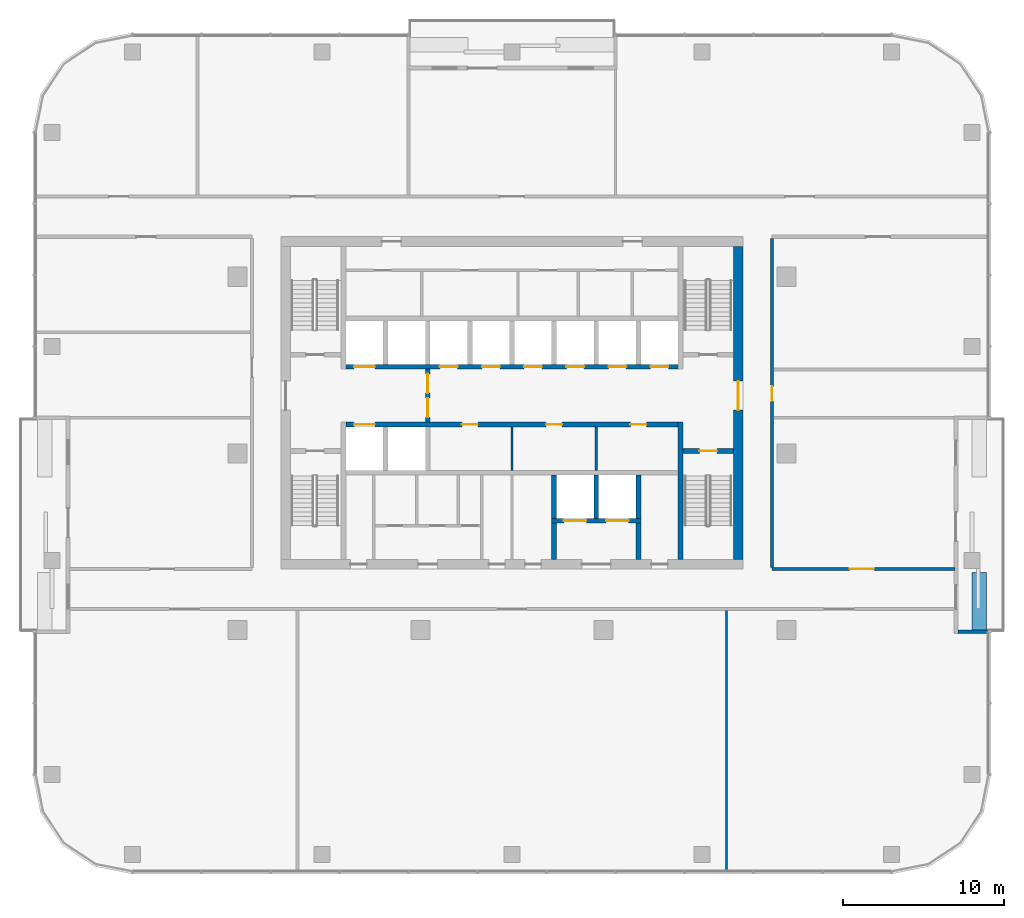
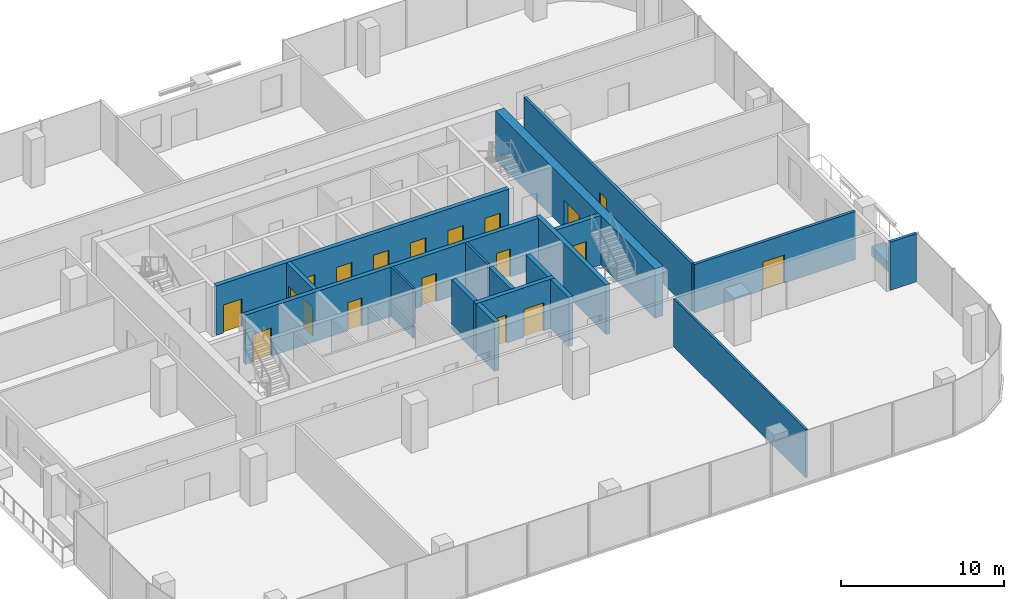
# One storey, part 8 of 13: 19 doors, 19 walls, 19 openings.
"""IFC4 building model written with IfcOpenShell, lengths in metres."""

from ifc_helpers import new_model, si_unit, direction, frame, frame_2d, origin, place, context, subcontext, project, spatial, rectangle, extrude, material, layer, layer_set, type_object, element, fill, save


model = new_model("IFC4")

# Units and contexts
model_context = context("Model", 3, precision=1e-05, world=origin(), true_north=direction((0.0, 1.0)))
body_context = subcontext(model_context, "Body", "Model", "MODEL_VIEW")
ifc_project = project(units=[si_unit("LENGTHUNIT", "METRE"), si_unit("AREAUNIT", "SQUARE_METRE"), si_unit("VOLUMEUNIT", "CUBIC_METRE"), si_unit("PLANEANGLEUNIT", "RADIAN"), si_unit("MASSUNIT", "GRAM", prefix="KILO")], contexts=[model_context])

# Site, building, storey
site_placement = place(None, origin())
site = spatial("IfcSite", under=ifc_project, at=site_placement, CompositionType="ELEMENT")
building_placement = place(site_placement, origin())
building = spatial("IfcBuilding", under=site, at=building_placement, Name="Mopane Tessera Tower", CompositionType="ELEMENT")
storey_placement = place(building_placement, frame((0.0, 0.0, 271.39990234375)))
storey = spatial("IfcBuildingStorey", under=building, at=storey_placement, Name="L58", CompositionType="ELEMENT", Elevation=271.39990234375)

# Walls
ifc_material_1 = material(Name="Fire-rated gypsum board partition")
ifc_layer_1 = layer(ifc_material_1, 0.14990234375)
ifc_layer_set_1 = layer_set([ifc_layer_1], Name="Fire-rated gypsum board partition")
wall_type_1 = type_object("IfcWallType", Name="Core room partition 150 mm", PredefinedType="PARTITIONING", material=ifc_layer_set_1)
for number, where, z_axis, x_axis, name in (
    (1, (0.0, -1.050048828125, 0.0), (0.0, 0.0, 1.0), (0.0, 1.0, 0.0), "L58 Room partition"),
    (2, (5.25, -1.050048828125, 0.0), (0.0, 0.0, 1.0), (0.0, 1.0, 0.0), "L58 Room partition"),
):
    element("IfcWall", number, at=place(storey_placement, frame(where, z_axis=z_axis, x_axis=x_axis)), inside=storey, type_object=wall_type_1, Name=name, PredefinedType="PARTITIONING", context=body_context, shape_type="SweptSolid", body=[
        extrude(rectangle(XDim=2.699951171875, YDim=0.14990234375, at=frame_2d((1.35009765625, 0.0))), origin(), (0.0, 0.0, 1.0), 3.7001953125),
    ])

# Wall, opening, door
ifc_material_2 = material(Name="Concrete C70/85", Category="concrete")
ifc_layer_2 = layer(ifc_material_2, 0.60009765625)
ifc_layer_set_2 = layer_set([ifc_layer_2], Name="Concrete C70/85")
wall_type_2 = type_object("IfcWallType", Name="Core shear wall 600 mm", PredefinedType="SHEAR", material=ifc_layer_set_2)
wall_1_placement = place(storey_placement, frame((14.10009765625, -6.60009765625, 0.0), z_axis=(0.0, 0.0, 1.0), x_axis=(0.0, 1.0, 0.0)))
wall_1 = element("IfcWall", 3, at=wall_1_placement, inside=storey, type_object=wall_type_2, Name="L58 Core wall east", PredefinedType="SHEAR", context=body_context, shape_type="SweptSolid", body=[
    extrude(rectangle(XDim=19.5, YDim=0.60009765625, at=frame_2d((9.75, 0.0))), origin(), (0.0, 0.0, 1.0), 3.7001953125),
])
opening_1_placement = place(wall_1_placement, frame((9.300048828125, 0.0, 0.0)))
opening_1 = element("IfcOpeningElement", 4, at=opening_1_placement, cuts=wall_1, Name="Opening SD2", PredefinedType="OPENING", context=body_context, shape_type="SweptSolid", body=[
    extrude(rectangle(XDim=1.800048828125, YDim=2.10009765625, at=frame_2d((0.89990234375, 1.050048828125))), frame((0.0, 0.31201171875, 0.0), z_axis=(0.0, -1.0, 0.0), x_axis=(1.0, 0.0, 0.0)), (0.0, 0.0, 1.0), 0.6240234375),
])
ifc_material_3 = material(Name="Steel fire door", Category="steel")
door_type_1 = type_object("IfcDoorType", Name="Core entrance double door 1800 x 2100", OperationType="DOUBLE_DOOR_SINGLE_SWING", PredefinedType="DOOR", material=ifc_material_3)
door_1_placement = place(opening_1_placement, origin())
door_1 = element("IfcDoor", 5, at=door_1_placement, inside=storey, type_object=door_type_1, Name="L58 Core entrance door east", OperationType="DOUBLE_DOOR_SINGLE_SWING", OverallHeight=2.10009765625, OverallWidth=1.800048828125, PredefinedType="DOOR", context=body_context, shape_type="SweptSolid", body=[
    extrude(rectangle(XDim=1.800048828125, YDim=2.10009765625, at=frame_2d((0.89990234375, 1.050048828125))), frame((0.0, 0.02490234375, 0.0), z_axis=(0.0, -1.0, 0.0), x_axis=(1.0, 0.0, 0.0)), (0.0, 0.0, 1.0), 0.050048828125),
])
fill(opening_1, door_1)

# Wall
ifc_material_4 = material(Name="Concrete C60/75", Category="concrete")
ifc_layer_3 = layer(ifc_material_4, 0.300048828125)
ifc_layer_set_3 = layer_set([ifc_layer_3], Name="Concrete C60/75")
wall_type_3 = type_object("IfcWallType", Name="Core spine wall 300 mm", PredefinedType="SHEAR", material=ifc_layer_set_3)
wall_2_placement = place(storey_placement, frame((10.5, -6.60009765625, 0.0), z_axis=(0.0, 0.0, 1.0), x_axis=(0.0, 1.0, 0.0)))
element("IfcWall", 6, at=wall_2_placement, inside=storey, type_object=wall_type_3, Name="L58 Core spine wall", PredefinedType="SHEAR", context=body_context, shape_type="SweptSolid", body=[
    extrude(rectangle(XDim=8.550048828125, YDim=0.300048828125, at=frame_2d((4.27490234375, 0.0))), origin(), (0.0, 0.0, 1.0), 3.7001953125),
])

# Wall, opening, door
ifc_material_5 = material(Name="Gypsum board on steel studs, two layers each face, mineral wool infill", Category="steel")
ifc_layer_4 = layer(ifc_material_5, 0.199951171875)
ifc_layer_set_4 = layer_set([ifc_layer_4], Name="Gypsum board on steel studs, two layers each face, mineral wool infill")
wall_type_4 = type_object("IfcWallType", Name="Gypsum board corridor wall 200, rated EI 60", PredefinedType="PARTITIONING", material=ifc_layer_set_4)
wall_3_placement = place(storey_placement, frame((16.199951171875, -7.199951171875, 0.0), z_axis=(0.0, 0.0, 1.0), x_axis=(1.0, 0.0, 0.0)))
wall_3 = element("IfcWall", 7, at=wall_3_placement, inside=storey, type_object=wall_type_4, Name="Partition L58:002", PredefinedType="PARTITIONING", context=body_context, shape_type="SweptSolid", body=[
    extrude(rectangle(XDim=11.400146484375, YDim=0.199951171875, at=frame_2d((5.7001953125, 0.0))), origin(), (0.0, 0.0, 1.0), 3.60009765625),
])
opening_2_placement = place(wall_3_placement, frame((4.85009765625, 0.0, 0.0)))
opening_2 = element("IfcOpeningElement", 8, at=opening_2_placement, cuts=wall_3, Name="Opening L58-05", PredefinedType="OPENING", context=body_context, shape_type="SweptSolid", body=[
    extrude(rectangle(XDim=1.5, YDim=2.10009765625, at=frame_2d((0.75, 1.050048828125))), frame((0.0, 0.112060546875, 0.0), z_axis=(0.0, -1.0, 0.0), x_axis=(1.0, 0.0, 0.0)), (0.0, 0.0, 1.0), 0.223876953125),
])
ifc_material_6 = material(Name="Timber veneered steel-framed fire door", Category="steel")
door_type_2 = type_object("IfcDoorType", Name="Fire door pair FD60 1500 x 2100", OperationType="DOUBLE_DOOR_SINGLE_SWING", PredefinedType="DOOR", material=ifc_material_6)
door_2_placement = place(opening_2_placement, origin())
door_2 = element("IfcDoor", 9, at=door_2_placement, inside=storey, type_object=door_type_2, Name="Door L58-05", ObjectType="D17A", OperationType="DOUBLE_DOOR_SINGLE_SWING", OverallHeight=2.10009765625, OverallWidth=1.5, PredefinedType="DOOR", context=body_context, shape_type="SweptSolid", body=[
    extrude(rectangle(XDim=1.5, YDim=2.10009765625, at=frame_2d((0.75, 1.050048828125))), frame((0.0, 0.02490234375, 0.0), z_axis=(0.0, -1.0, 0.0), x_axis=(1.0, 0.0, 0.0)), (0.0, 0.0, 1.0), 0.050048828125),
])
fill(opening_2, door_2)

wall_4_placement = place(storey_placement, frame((16.199951171875, -7.10009765625, 0.0), z_axis=(0.0, 0.0, 1.0), x_axis=(0.0, 1.0, 0.0)))
wall_4 = element("IfcWall", 10, at=wall_4_placement, inside=storey, type_object=wall_type_4, Name="Partition L58:016", PredefinedType="PARTITIONING", context=body_context, shape_type="SweptSolid", body=[
    extrude(rectangle(XDim=20.5, YDim=0.199951171875, at=frame_2d((10.25, 0.0))), origin(), (0.0, 0.0, 1.0), 3.60009765625),
])
opening_3_placement = place(wall_4_placement, frame((10.3701171875, 0.0, 0.0)))
opening_3 = element("IfcOpeningElement", 11, at=opening_3_placement, cuts=wall_4, Name="Opening L58-13", PredefinedType="OPENING", context=body_context, shape_type="SweptSolid", body=[
    extrude(rectangle(XDim=0.89990234375, YDim=2.10009765625, at=frame_2d((0.449951171875, 1.050048828125))), frame((0.0, 0.112060546875, 0.0), z_axis=(0.0, -1.0, 0.0), x_axis=(1.0, 0.0, 0.0)), (0.0, 0.0, 1.0), 0.223876953125),
])
ifc_material_7 = material(Name="Timber veneered steel-framed fire door", Category="steel")
door_type_3 = type_object("IfcDoorType", Name="Fire door FD60 900 x 2100", OperationType="SINGLE_SWING_LEFT", PredefinedType="DOOR", material=ifc_material_7)
door_3_placement = place(opening_3_placement, origin())
door_3 = element("IfcDoor", 12, at=door_3_placement, inside=storey, type_object=door_type_3, Name="Door L58-13", ObjectType="D10A", OperationType="SINGLE_SWING_LEFT", OverallHeight=2.10009765625, OverallWidth=0.89990234375, PredefinedType="DOOR", context=body_context, shape_type="SweptSolid", body=[
    extrude(rectangle(XDim=0.89990234375, YDim=2.10009765625, at=frame_2d((0.449951171875, 1.050048828125))), frame((0.0, 0.02490234375, 0.0), z_axis=(0.0, -1.0, 0.0), x_axis=(1.0, 0.0, 0.0)), (0.0, 0.0, 1.0), 0.050048828125),
])
fill(opening_3, door_3)

# Wall
ifc_material_8 = material(Name="Gypsum board on steel studs, mineral wool infill", Category="steel")
ifc_layer_5 = layer(ifc_material_8, 0.14990234375)
ifc_layer_set_5 = layer_set([ifc_layer_5], Name="Gypsum board on steel studs, mineral wool infill")
wall_type_5 = type_object("IfcWallType", Name="Gypsum board partition 150, rated EI 60", PredefinedType="PARTITIONING", material=ifc_layer_set_5)
wall_5_placement = place(storey_placement, frame((13.364990234375, -25.949951171875, 0.0), z_axis=(0.0, 0.0, 1.0), x_axis=(0.0, 1.0, 0.0)))
element("IfcWall", 13, at=wall_5_placement, inside=storey, type_object=wall_type_5, Name="Partition L58:015", PredefinedType="PARTITIONING", context=body_context, shape_type="SweptSolid", body=[
    extrude(rectangle(XDim=16.14990234375, YDim=0.14990234375, at=frame_2d((8.074951171875, 0.0))), origin(), (0.0, 0.0, 1.0), 3.60009765625),
])

# Wall, opening, door
ifc_material_9 = material(Name="Concrete C50/60", Category="concrete")
ifc_layer_6 = layer(ifc_material_9, 0.300048828125)
ifc_layer_set_6 = layer_set([ifc_layer_6], Name="Concrete C50/60")
wall_type_6 = type_object("IfcWallType", Name="Lift and stair shaft wall 300 mm", PredefinedType="SOLIDWALL", material=ifc_layer_set_6)
wall_6_placement = place(storey_placement, frame((10.64990234375, 0.14990234375, 0.0), z_axis=(0.0, 0.0, 1.0), x_axis=(1.0, 0.0, 0.0)))
wall_6 = element("IfcWall", 14, at=wall_6_placement, inside=storey, type_object=wall_type_6, Name="L58 Stair enclosure wall", PredefinedType="SOLIDWALL", context=body_context, shape_type="SweptSolid", body=[
    extrude(rectangle(XDim=3.150146484375, YDim=0.300048828125, at=frame_2d((1.5751953125, 0.0))), origin(), (0.0, 0.0, 1.0), 3.7001953125),
])
opening_4_placement = place(wall_6_placement, frame((1.02490234375, 0.0, 0.0)))
opening_4 = element("IfcOpeningElement", 15, at=opening_4_placement, cuts=wall_6, Name="Opening SD1", PredefinedType="OPENING", context=body_context, shape_type="SweptSolid", body=[
    extrude(rectangle(XDim=1.10009765625, YDim=2.10009765625, at=frame_2d((0.550048828125, 1.050048828125))), frame((0.0, 0.162109375, 0.0), z_axis=(0.0, -1.0, 0.0), x_axis=(1.0, 0.0, 0.0)), (0.0, 0.0, 1.0), 0.323974609375),
])
ifc_material_10 = material(Name="Steel fire door", Category="steel")
door_type_4 = type_object("IfcDoorType", Name="Stair fire door 1100 x 2100", OperationType="SINGLE_SWING_LEFT", PredefinedType="DOOR", material=ifc_material_10)
door_4_placement = place(opening_4_placement, origin())
door_4 = element("IfcDoor", 16, at=door_4_placement, inside=storey, type_object=door_type_4, Name="L58 Stair door ST3", OperationType="SINGLE_SWING_RIGHT", OverallHeight=2.10009765625, OverallWidth=1.10009765625, PredefinedType="DOOR", context=body_context, shape_type="SweptSolid", body=[
    extrude(rectangle(XDim=1.10009765625, YDim=2.10009765625, at=frame_2d((0.550048828125, 1.050048828125))), frame((0.0, 0.02490234375, 0.0), z_axis=(0.0, -1.0, 0.0), x_axis=(1.0, 0.0, 0.0)), (0.0, 0.0, 1.0), 0.050048828125),
])
fill(opening_4, door_4)

# Wall, openings, doors
wall_7_placement = place(storey_placement, frame((-10.35009765625, 1.800048828125, 0.0), z_axis=(0.0, 0.0, 1.0), x_axis=(1.0, 0.0, 0.0)))
wall_7 = element("IfcWall", 17, at=wall_7_placement, inside=storey, type_object=wall_type_6, Name="L58 Lift shaft front wall", PredefinedType="SOLIDWALL", context=body_context, shape_type="SweptSolid", body=[
    extrude(rectangle(XDim=20.7001953125, YDim=0.300048828125, at=frame_2d((10.35009765625, 0.0))), origin(), (0.0, 0.0, 1.0), 3.7001953125),
])
opening_5_placement = place(wall_7_placement, frame((0.512451171875, 0.0, 0.0)))
opening_5 = element("IfcOpeningElement", 18, at=opening_5_placement, cuts=wall_7, Name="Opening LD2", PredefinedType="OPENING", context=body_context, shape_type="SweptSolid", body=[
    extrude(rectangle(XDim=1.300048828125, YDim=2.10009765625, at=frame_2d((0.64990234375, 1.050048828125))), frame((0.0, 0.162109375, 0.0), z_axis=(0.0, -1.0, 0.0), x_axis=(1.0, 0.0, 0.0)), (0.0, 0.0, 1.0), 0.323974609375),
])
opening_6_placement = place(wall_7_placement, frame((7.22509765625, 0.0, 0.0)))
opening_6 = element("IfcOpeningElement", 19, at=opening_6_placement, cuts=wall_7, Name="Opening RD1", PredefinedType="OPENING", context=body_context, shape_type="SweptSolid", body=[
    extrude(rectangle(XDim=1.0, YDim=2.10009765625, at=frame_2d((0.5, 1.050048828125))), frame((0.0, 0.162109375, 0.0), z_axis=(0.0, -1.0, 0.0), x_axis=(1.0, 0.0, 0.0)), (0.0, 0.0, 1.0), 0.323974609375),
])
opening_7_placement = place(wall_7_placement, frame((12.47509765625, 0.0, 0.0)))
opening_7 = element("IfcOpeningElement", 20, at=opening_7_placement, cuts=wall_7, Name="Opening RD1", PredefinedType="OPENING", context=body_context, shape_type="SweptSolid", body=[
    extrude(rectangle(XDim=1.0, YDim=2.10009765625, at=frame_2d((0.5, 1.050048828125))), frame((0.0, 0.162109375, 0.0), z_axis=(0.0, -1.0, 0.0), x_axis=(1.0, 0.0, 0.0)), (0.0, 0.0, 1.0), 0.323974609375),
])
opening_8_placement = place(wall_7_placement, frame((17.72509765625, 0.0, 0.0)))
opening_8 = element("IfcOpeningElement", 21, at=opening_8_placement, cuts=wall_7, Name="Opening RD1", PredefinedType="OPENING", context=body_context, shape_type="SweptSolid", body=[
    extrude(rectangle(XDim=1.0, YDim=2.10009765625, at=frame_2d((0.5, 1.050048828125))), frame((0.0, 0.162109375, 0.0), z_axis=(0.0, -1.0, 0.0), x_axis=(1.0, 0.0, 0.0)), (0.0, 0.0, 1.0), 0.323974609375),
])
ifc_material_11 = material(Name="Timber door", Category="wood")
door_type_5 = type_object("IfcDoorType", Name="Core room door 1000 x 2100", OperationType="SINGLE_SWING_LEFT", PredefinedType="DOOR", material=ifc_material_11)
door_5_placement = place(opening_6_placement, origin())
door_5 = element("IfcDoor", 22, at=door_5_placement, inside=storey, type_object=door_type_5, Name="L58 Room door", OperationType="SINGLE_SWING_LEFT", OverallHeight=2.10009765625, OverallWidth=1.0, PredefinedType="DOOR", context=body_context, shape_type="SweptSolid", body=[
    extrude(rectangle(XDim=1.0, YDim=2.10009765625, at=frame_2d((0.5, 1.050048828125))), frame((0.0, 0.02490234375, 0.0), z_axis=(0.0, -1.0, 0.0), x_axis=(1.0, 0.0, 0.0)), (0.0, 0.0, 1.0), 0.050048828125),
])
fill(opening_6, door_5)
door_6_placement = place(opening_7_placement, origin())
door_6 = element("IfcDoor", 23, at=door_6_placement, inside=storey, type_object=door_type_5, Name="L58 Room door", OperationType="SINGLE_SWING_LEFT", OverallHeight=2.10009765625, OverallWidth=1.0, PredefinedType="DOOR", context=body_context, shape_type="SweptSolid", body=[
    extrude(rectangle(XDim=1.0, YDim=2.10009765625, at=frame_2d((0.5, 1.050048828125))), frame((0.0, 0.02490234375, 0.0), z_axis=(0.0, -1.0, 0.0), x_axis=(1.0, 0.0, 0.0)), (0.0, 0.0, 1.0), 0.050048828125),
])
fill(opening_7, door_6)
door_7_placement = place(opening_8_placement, origin())
door_7 = element("IfcDoor", 24, at=door_7_placement, inside=storey, type_object=door_type_5, Name="L58 Room door", OperationType="SINGLE_SWING_LEFT", OverallHeight=2.10009765625, OverallWidth=1.0, PredefinedType="DOOR", context=body_context, shape_type="SweptSolid", body=[
    extrude(rectangle(XDim=1.0, YDim=2.10009765625, at=frame_2d((0.5, 1.050048828125))), frame((0.0, 0.02490234375, 0.0), z_axis=(0.0, -1.0, 0.0), x_axis=(1.0, 0.0, 0.0)), (0.0, 0.0, 1.0), 0.050048828125),
])
fill(opening_8, door_7)
ifc_material_12 = material(Name="Stainless steel sliding door", Category="steel")
door_type_6 = type_object("IfcDoorType", Name="Fire-fighting lift landing door 1300 x 2100", OperationType="DOUBLE_DOOR_SLIDING", PredefinedType="DOOR", material=ifc_material_12)
door_8_placement = place(opening_5_placement, origin())
door_8 = element("IfcDoor", 25, at=door_8_placement, inside=storey, type_object=door_type_6, Name="L58 Lift landing door FF1", OperationType="DOUBLE_DOOR_SLIDING", OverallHeight=2.10009765625, OverallWidth=1.300048828125, PredefinedType="DOOR", context=body_context, shape_type="SweptSolid", body=[
    extrude(rectangle(XDim=1.300048828125, YDim=2.10009765625, at=frame_2d((0.64990234375, 1.050048828125))), frame((0.0, 0.02490234375, 0.0), z_axis=(0.0, -1.0, 0.0), x_axis=(1.0, 0.0, 0.0)), (0.0, 0.0, 1.0), 0.050048828125),
])
fill(opening_5, door_8)

wall_8_placement = place(storey_placement, frame((-10.35009765625, 5.39990234375, 0.0), z_axis=(0.0, 0.0, 1.0), x_axis=(1.0, 0.0, 0.0)))
wall_8 = element("IfcWall", 26, at=wall_8_placement, inside=storey, type_object=wall_type_6, Name="L58 Lift shaft front wall", PredefinedType="SOLIDWALL", context=body_context, shape_type="SweptSolid", body=[
    extrude(rectangle(XDim=20.7001953125, YDim=0.300048828125, at=frame_2d((10.35009765625, 0.0))), origin(), (0.0, 0.0, 1.0), 3.7001953125),
])
opening_9_placement = place(wall_8_placement, frame((0.512451171875, 0.0, 0.0)))
opening_9 = element("IfcOpeningElement", 27, at=opening_9_placement, cuts=wall_8, Name="Opening LD2", PredefinedType="OPENING", context=body_context, shape_type="SweptSolid", body=[
    extrude(rectangle(XDim=1.300048828125, YDim=2.10009765625, at=frame_2d((0.64990234375, 1.050048828125))), frame((0.0, 0.162109375, 0.0), z_axis=(0.0, -1.0, 0.0), x_axis=(1.0, 0.0, 0.0)), (0.0, 0.0, 1.0), 0.323974609375),
])
opening_10_placement = place(wall_8_placement, frame((5.862548828125, 0.0, 0.0)))
opening_10 = element("IfcOpeningElement", 28, at=opening_10_placement, cuts=wall_8, Name="Opening LD", PredefinedType="OPENING", context=body_context, shape_type="SweptSolid", body=[
    extrude(rectangle(XDim=1.10009765625, YDim=2.10009765625, at=frame_2d((0.550048828125, 1.050048828125))), frame((0.0, 0.162109375, 0.0), z_axis=(0.0, -1.0, 0.0), x_axis=(1.0, 0.0, 0.0)), (0.0, 0.0, 1.0), 0.323974609375),
])
opening_11_placement = place(wall_8_placement, frame((8.487548828125, 0.0, 0.0)))
opening_11 = element("IfcOpeningElement", 29, at=opening_11_placement, cuts=wall_8, Name="Opening LD", PredefinedType="OPENING", context=body_context, shape_type="SweptSolid", body=[
    extrude(rectangle(XDim=1.10009765625, YDim=2.10009765625, at=frame_2d((0.550048828125, 1.050048828125))), frame((0.0, 0.162109375, 0.0), z_axis=(0.0, -1.0, 0.0), x_axis=(1.0, 0.0, 0.0)), (0.0, 0.0, 1.0), 0.323974609375),
])
opening_12_placement = place(wall_8_placement, frame((11.112548828125, 0.0, 0.0)))
opening_12 = element("IfcOpeningElement", 30, at=opening_12_placement, cuts=wall_8, Name="Opening LD", PredefinedType="OPENING", context=body_context, shape_type="SweptSolid", body=[
    extrude(rectangle(XDim=1.10009765625, YDim=2.10009765625, at=frame_2d((0.550048828125, 1.050048828125))), frame((0.0, 0.162109375, 0.0), z_axis=(0.0, -1.0, 0.0), x_axis=(1.0, 0.0, 0.0)), (0.0, 0.0, 1.0), 0.323974609375),
])
opening_13_placement = place(wall_8_placement, frame((13.737548828125, 0.0, 0.0)))
opening_13 = element("IfcOpeningElement", 31, at=opening_13_placement, cuts=wall_8, Name="Opening LD", PredefinedType="OPENING", context=body_context, shape_type="SweptSolid", body=[
    extrude(rectangle(XDim=1.10009765625, YDim=2.10009765625, at=frame_2d((0.550048828125, 1.050048828125))), frame((0.0, 0.162109375, 0.0), z_axis=(0.0, -1.0, 0.0), x_axis=(1.0, 0.0, 0.0)), (0.0, 0.0, 1.0), 0.323974609375),
])
opening_14_placement = place(wall_8_placement, frame((16.362548828125, 0.0, 0.0)))
opening_14 = element("IfcOpeningElement", 32, at=opening_14_placement, cuts=wall_8, Name="Opening LD", PredefinedType="OPENING", context=body_context, shape_type="SweptSolid", body=[
    extrude(rectangle(XDim=1.10009765625, YDim=2.10009765625, at=frame_2d((0.550048828125, 1.050048828125))), frame((0.0, 0.162109375, 0.0), z_axis=(0.0, -1.0, 0.0), x_axis=(1.0, 0.0, 0.0)), (0.0, 0.0, 1.0), 0.323974609375),
])
opening_15_placement = place(wall_8_placement, frame((18.987548828125, 0.0, 0.0)))
opening_15 = element("IfcOpeningElement", 33, at=opening_15_placement, cuts=wall_8, Name="Opening LD", PredefinedType="OPENING", context=body_context, shape_type="SweptSolid", body=[
    extrude(rectangle(XDim=1.10009765625, YDim=2.10009765625, at=frame_2d((0.550048828125, 1.050048828125))), frame((0.0, 0.162109375, 0.0), z_axis=(0.0, -1.0, 0.0), x_axis=(1.0, 0.0, 0.0)), (0.0, 0.0, 1.0), 0.323974609375),
])
door_9_placement = place(opening_9_placement, origin())
door_9 = element("IfcDoor", 34, at=door_9_placement, inside=storey, type_object=door_type_6, Name="L58 Lift landing door FF2", OperationType="DOUBLE_DOOR_SLIDING", OverallHeight=2.10009765625, OverallWidth=1.300048828125, PredefinedType="DOOR", context=body_context, shape_type="SweptSolid", body=[
    extrude(rectangle(XDim=1.300048828125, YDim=2.10009765625, at=frame_2d((0.64990234375, 1.050048828125))), frame((0.0, 0.02490234375, 0.0), z_axis=(0.0, -1.0, 0.0), x_axis=(1.0, 0.0, 0.0)), (0.0, 0.0, 1.0), 0.050048828125),
])
fill(opening_9, door_9)
ifc_material_13 = material(Name="Stainless steel sliding door", Category="steel")
door_type_7 = type_object("IfcDoorType", Name="Lift landing door 1100 x 2100", OperationType="DOUBLE_DOOR_SLIDING", PredefinedType="DOOR", material=ifc_material_13)
door_10_placement = place(opening_10_placement, origin())
door_10 = element("IfcDoor", 35, at=door_10_placement, inside=storey, type_object=door_type_7, Name="L58 Lift landing door HR1", OperationType="DOUBLE_DOOR_SLIDING", OverallHeight=2.10009765625, OverallWidth=1.10009765625, PredefinedType="DOOR", context=body_context, shape_type="SweptSolid", body=[
    extrude(rectangle(XDim=1.10009765625, YDim=2.10009765625, at=frame_2d((0.550048828125, 1.050048828125))), frame((0.0, 0.02490234375, 0.0), z_axis=(0.0, -1.0, 0.0), x_axis=(1.0, 0.0, 0.0)), (0.0, 0.0, 1.0), 0.050048828125),
])
fill(opening_10, door_10)
door_11_placement = place(opening_11_placement, origin())
door_11 = element("IfcDoor", 36, at=door_11_placement, inside=storey, type_object=door_type_7, Name="L58 Lift landing door HR2", OperationType="DOUBLE_DOOR_SLIDING", OverallHeight=2.10009765625, OverallWidth=1.10009765625, PredefinedType="DOOR", context=body_context, shape_type="SweptSolid", body=[
    extrude(rectangle(XDim=1.10009765625, YDim=2.10009765625, at=frame_2d((0.550048828125, 1.050048828125))), frame((0.0, 0.02490234375, 0.0), z_axis=(0.0, -1.0, 0.0), x_axis=(1.0, 0.0, 0.0)), (0.0, 0.0, 1.0), 0.050048828125),
])
fill(opening_11, door_11)
door_12_placement = place(opening_12_placement, origin())
door_12 = element("IfcDoor", 37, at=door_12_placement, inside=storey, type_object=door_type_7, Name="L58 Lift landing door HR3", OperationType="DOUBLE_DOOR_SLIDING", OverallHeight=2.10009765625, OverallWidth=1.10009765625, PredefinedType="DOOR", context=body_context, shape_type="SweptSolid", body=[
    extrude(rectangle(XDim=1.10009765625, YDim=2.10009765625, at=frame_2d((0.550048828125, 1.050048828125))), frame((0.0, 0.02490234375, 0.0), z_axis=(0.0, -1.0, 0.0), x_axis=(1.0, 0.0, 0.0)), (0.0, 0.0, 1.0), 0.050048828125),
])
fill(opening_12, door_12)
door_13_placement = place(opening_13_placement, origin())
door_13 = element("IfcDoor", 38, at=door_13_placement, inside=storey, type_object=door_type_7, Name="L58 Lift landing door HR4", OperationType="DOUBLE_DOOR_SLIDING", OverallHeight=2.10009765625, OverallWidth=1.10009765625, PredefinedType="DOOR", context=body_context, shape_type="SweptSolid", body=[
    extrude(rectangle(XDim=1.10009765625, YDim=2.10009765625, at=frame_2d((0.550048828125, 1.050048828125))), frame((0.0, 0.02490234375, 0.0), z_axis=(0.0, -1.0, 0.0), x_axis=(1.0, 0.0, 0.0)), (0.0, 0.0, 1.0), 0.050048828125),
])
fill(opening_13, door_13)
door_14_placement = place(opening_14_placement, origin())
door_14 = element("IfcDoor", 39, at=door_14_placement, inside=storey, type_object=door_type_7, Name="L58 Lift landing door HR5", OperationType="DOUBLE_DOOR_SLIDING", OverallHeight=2.10009765625, OverallWidth=1.10009765625, PredefinedType="DOOR", context=body_context, shape_type="SweptSolid", body=[
    extrude(rectangle(XDim=1.10009765625, YDim=2.10009765625, at=frame_2d((0.550048828125, 1.050048828125))), frame((0.0, 0.02490234375, 0.0), z_axis=(0.0, -1.0, 0.0), x_axis=(1.0, 0.0, 0.0)), (0.0, 0.0, 1.0), 0.050048828125),
])
fill(opening_14, door_14)
door_15_placement = place(opening_15_placement, origin())
door_15 = element("IfcDoor", 40, at=door_15_placement, inside=storey, type_object=door_type_7, Name="L58 Lift landing door HR6", OperationType="DOUBLE_DOOR_SLIDING", OverallHeight=2.10009765625, OverallWidth=1.10009765625, PredefinedType="DOOR", context=body_context, shape_type="SweptSolid", body=[
    extrude(rectangle(XDim=1.10009765625, YDim=2.10009765625, at=frame_2d((0.550048828125, 1.050048828125))), frame((0.0, 0.02490234375, 0.0), z_axis=(0.0, -1.0, 0.0), x_axis=(1.0, 0.0, 0.0)), (0.0, 0.0, 1.0), 0.050048828125),
])
fill(opening_15, door_15)

wall_9_placement = place(storey_placement, frame((2.47509765625, -4.199951171875, 0.0), z_axis=(0.0, 0.0, 1.0), x_axis=(1.0, 0.0, 0.0)))
wall_9 = element("IfcWall", 41, at=wall_9_placement, inside=storey, type_object=wall_type_6, Name="L58 Lift shaft front wall", PredefinedType="SOLIDWALL", context=body_context, shape_type="SweptSolid", body=[
    extrude(rectangle(XDim=5.5498046875, YDim=0.300048828125, at=frame_2d((2.77490234375, 0.0))), origin(), (0.0, 0.0, 1.0), 3.7001953125),
])
opening_16_placement = place(wall_9_placement, frame((0.762451171875, 0.0, 0.0)))
opening_16 = element("IfcOpeningElement", 42, at=opening_16_placement, cuts=wall_9, Name="Opening LD3", PredefinedType="OPENING", context=body_context, shape_type="SweptSolid", body=[
    extrude(rectangle(XDim=1.39990234375, YDim=2.10009765625, at=frame_2d((0.699951171875, 1.050048828125))), frame((0.0, 0.162109375, 0.0), z_axis=(0.0, -1.0, 0.0), x_axis=(1.0, 0.0, 0.0)), (0.0, 0.0, 1.0), 0.323974609375),
])
opening_17_placement = place(wall_9_placement, frame((3.387451171875, 0.0, 0.0)))
opening_17 = element("IfcOpeningElement", 43, at=opening_17_placement, cuts=wall_9, Name="Opening LD3", PredefinedType="OPENING", context=body_context, shape_type="SweptSolid", body=[
    extrude(rectangle(XDim=1.39990234375, YDim=2.10009765625, at=frame_2d((0.699951171875, 1.050048828125))), frame((0.0, 0.162109375, 0.0), z_axis=(0.0, -1.0, 0.0), x_axis=(1.0, 0.0, 0.0)), (0.0, 0.0, 1.0), 0.323974609375),
])
ifc_material_14 = material(Name="Stainless steel sliding door", Category="steel")
door_type_8 = type_object("IfcDoorType", Name="Service lift landing door 1400 x 2100", OperationType="DOUBLE_DOOR_SLIDING", PredefinedType="DOOR", material=ifc_material_14)
door_16_placement = place(opening_16_placement, origin())
door_16 = element("IfcDoor", 44, at=door_16_placement, inside=storey, type_object=door_type_8, Name="L58 Lift landing door SV1", OperationType="DOUBLE_DOOR_SLIDING", OverallHeight=2.10009765625, OverallWidth=1.39990234375, PredefinedType="DOOR", context=body_context, shape_type="SweptSolid", body=[
    extrude(rectangle(XDim=1.39990234375, YDim=2.10009765625, at=frame_2d((0.699951171875, 1.050048828125))), frame((0.0, 0.02490234375, 0.0), z_axis=(0.0, -1.0, 0.0), x_axis=(1.0, 0.0, 0.0)), (0.0, 0.0, 1.0), 0.050048828125),
])
fill(opening_16, door_16)
door_17_placement = place(opening_17_placement, origin())
door_17 = element("IfcDoor", 45, at=door_17_placement, inside=storey, type_object=door_type_8, Name="L58 Lift landing door SV2", OperationType="DOUBLE_DOOR_SLIDING", OverallHeight=2.10009765625, OverallWidth=1.39990234375, PredefinedType="DOOR", context=body_context, shape_type="SweptSolid", body=[
    extrude(rectangle(XDim=1.39990234375, YDim=2.10009765625, at=frame_2d((0.699951171875, 1.050048828125))), frame((0.0, 0.02490234375, 0.0), z_axis=(0.0, -1.0, 0.0), x_axis=(1.0, 0.0, 0.0)), (0.0, 0.0, 1.0), 0.050048828125),
])
fill(opening_17, door_17)

# Walls
for number, where, z_axis, x_axis, name in (
    (46, (2.625, -4.050048828125, 0.0), (0.0, 0.0, 1.0), (0.0, 1.0, 0.0), "L58 Lift shaft wall"),
    (47, (5.25, -4.050048828125, 0.0), (0.0, 0.0, 1.0), (0.0, 1.0, 0.0), "L58 Lift shaft wall"),
    (48, (7.875, -4.050048828125, 0.0), (0.0, 0.0, 1.0), (0.0, 1.0, 0.0), "L58 Lift shaft wall"),
):
    element("IfcWall", number, at=place(storey_placement, frame(where, z_axis=z_axis, x_axis=x_axis)), inside=storey, type_object=wall_type_6, Name=name, PredefinedType="SOLIDWALL", context=body_context, shape_type="SweptSolid", body=[
        extrude(rectangle(XDim=2.699951171875, YDim=0.300048828125, at=frame_2d((1.35009765625, 0.0))), origin(), (0.0, 0.0, 1.0), 3.7001953125),
    ])

# Wall, openings, doors
ifc_material_15 = material(Name="Concrete C50/60", Category="concrete")
ifc_layer_7 = layer(ifc_material_15, 0.300048828125)
ifc_layer_set_7 = layer_set([ifc_layer_7], Name="Concrete C50/60")
wall_type_7 = type_object("IfcWallType", Name="Lobby and refuge room wall 300 mm", PredefinedType="SOLIDWALL", material=ifc_layer_set_7)
wall_10_placement = place(storey_placement, frame((-5.25, 1.949951171875, 0.0), z_axis=(0.0, 0.0, 1.0), x_axis=(0.0, 1.0, 0.0)))
wall_10 = element("IfcWall", 49, at=wall_10_placement, inside=storey, type_object=wall_type_7, Name="L58 Fire-fighting lobby wall", PredefinedType="SOLIDWALL", context=body_context, shape_type="SweptSolid", body=[
    extrude(rectangle(XDim=3.300048828125, YDim=0.300048828125, at=frame_2d((1.64990234375, 0.0))), origin(), (0.0, 0.0, 1.0), 3.7001953125),
])
opening_18_placement = place(wall_10_placement, frame((0.300048828125, 0.0, 0.0)))
opening_18 = element("IfcOpeningElement", 50, at=opening_18_placement, cuts=wall_10, Name="Opening SD3", PredefinedType="OPENING", context=body_context, shape_type="SweptSolid", body=[
    extrude(rectangle(XDim=1.199951171875, YDim=2.10009765625, at=frame_2d((0.60009765625, 1.050048828125))), frame((0.0, 0.162109375, 0.0), z_axis=(0.0, -1.0, 0.0), x_axis=(1.0, 0.0, 0.0)), (0.0, 0.0, 1.0), 0.323974609375),
])
opening_19_placement = place(wall_10_placement, frame((1.800048828125, 0.0, 0.0)))
opening_19 = element("IfcOpeningElement", 51, at=opening_19_placement, cuts=wall_10, Name="Opening SD3", PredefinedType="OPENING", context=body_context, shape_type="SweptSolid", body=[
    extrude(rectangle(XDim=1.199951171875, YDim=2.10009765625, at=frame_2d((0.60009765625, 1.050048828125))), frame((0.0, 0.162109375, 0.0), z_axis=(0.0, -1.0, 0.0), x_axis=(1.0, 0.0, 0.0)), (0.0, 0.0, 1.0), 0.323974609375),
])
ifc_material_16 = material(Name="Steel fire door", Category="steel")
door_type_9 = type_object("IfcDoorType", Name="Lobby fire door 1200 x 2100", OperationType="SINGLE_SWING_LEFT", PredefinedType="DOOR", material=ifc_material_16)
door_18_placement = place(opening_18_placement, origin())
door_18 = element("IfcDoor", 52, at=door_18_placement, inside=storey, type_object=door_type_9, Name="L58 Fire-fighting lobby door", OperationType="SINGLE_SWING_LEFT", OverallHeight=2.10009765625, OverallWidth=1.199951171875, PredefinedType="DOOR", context=body_context, shape_type="SweptSolid", body=[
    extrude(rectangle(XDim=1.199951171875, YDim=2.10009765625, at=frame_2d((0.60009765625, 1.050048828125))), frame((0.0, 0.02490234375, 0.0), z_axis=(0.0, -1.0, 0.0), x_axis=(1.0, 0.0, 0.0)), (0.0, 0.0, 1.0), 0.050048828125),
])
fill(opening_18, door_18)
door_19_placement = place(opening_19_placement, origin())
door_19 = element("IfcDoor", 53, at=door_19_placement, inside=storey, type_object=door_type_9, Name="L58 Fire-fighting lobby door", OperationType="SINGLE_SWING_RIGHT", OverallHeight=2.10009765625, OverallWidth=1.199951171875, PredefinedType="DOOR", context=body_context, shape_type="SweptSolid", body=[
    extrude(rectangle(XDim=1.199951171875, YDim=2.10009765625, at=frame_2d((0.60009765625, 1.050048828125))), frame((0.0, 0.02490234375, 0.0), z_axis=(0.0, -1.0, 0.0), x_axis=(1.0, 0.0, 0.0)), (0.0, 0.0, 1.0), 0.050048828125),
])
fill(opening_19, door_19)

# Walls
for number, where, z_axis, x_axis, name in (
    (54, (2.625, -6.60009765625, 0.0), (0.0, 0.0, 1.0), (0.0, 1.0, 0.0), "L58 Service lobby wall"),
    (55, (7.875, -6.60009765625, 0.0), (0.0, 0.0, 1.0), (0.0, 1.0, 0.0), "L58 Service lobby wall"),
):
    element("IfcWall", number, at=place(storey_placement, frame(where, z_axis=z_axis, x_axis=x_axis)), inside=storey, type_object=wall_type_7, Name=name, PredefinedType="SOLIDWALL", context=body_context, shape_type="SweptSolid", body=[
        extrude(rectangle(XDim=2.25, YDim=0.300048828125, at=frame_2d((1.125, 0.0))), origin(), (0.0, 0.0, 1.0), 3.7001953125),
    ])
ifc_material_17 = material(Name="Reinforced concrete C32/40 with waterproofing", Category="concrete")
ifc_layer_8 = layer(ifc_material_17, 0.89990234375)
ifc_layer_set_8 = layer_set([ifc_layer_8], Name="Reinforced concrete C32/40 with waterproofing")
wall_type_8 = type_object("IfcWallType", Name="Planter trough 3600 x 900", PredefinedType="STANDARD", material=ifc_layer_set_8)
wall_11_placement = place(storey_placement, frame((29.10009765625, -11.01123046875, 0.0), z_axis=(0.0, 0.0, 1.0), x_axis=(0.0, 1.0, 0.0)))
element("IfcWall", 56, at=wall_11_placement, inside=storey, type_object=wall_type_8, Name="e:nw:L58:N1:pl0", PredefinedType="STANDARD", context=body_context, shape_type="SweptSolid", body=[
    extrude(rectangle(XDim=3.60009765625, YDim=0.89990234375, at=frame_2d((1.800048828125, 0.0))), origin(), (0.0, 0.0, 1.0), 0.7001953125),
])
ifc_material_18 = material(Name="Blockwork with glazed tile facing", Category="masonry")
ifc_layer_9 = layer(ifc_material_18, 0.199951171875)
ifc_layer_set_9 = layer_set([ifc_layer_9], Name="Blockwork with glazed tile facing")
wall_type_9 = type_object("IfcWallType", Name="Terrace cheek wall 200", PredefinedType="STANDARD", material=ifc_layer_set_9)
wall_12_placement = place(storey_placement, frame((29.64990234375, -11.111083984375, 0.0), z_axis=(0.0, 0.0, 1.0), x_axis=(-1.0, 0.0, 0.0)))
element("IfcWall", 57, at=wall_12_placement, inside=storey, type_object=wall_type_9, Name="e:nw:L58:N1:cheeka", PredefinedType="STANDARD", context=body_context, shape_type="SweptSolid", body=[
    extrude(rectangle(XDim=1.875, YDim=0.199951171875, at=frame_2d((0.9375, 0.0))), origin(), (0.0, 0.0, 1.0), 3.60009765625),
])

save(model, "model.ifc")
